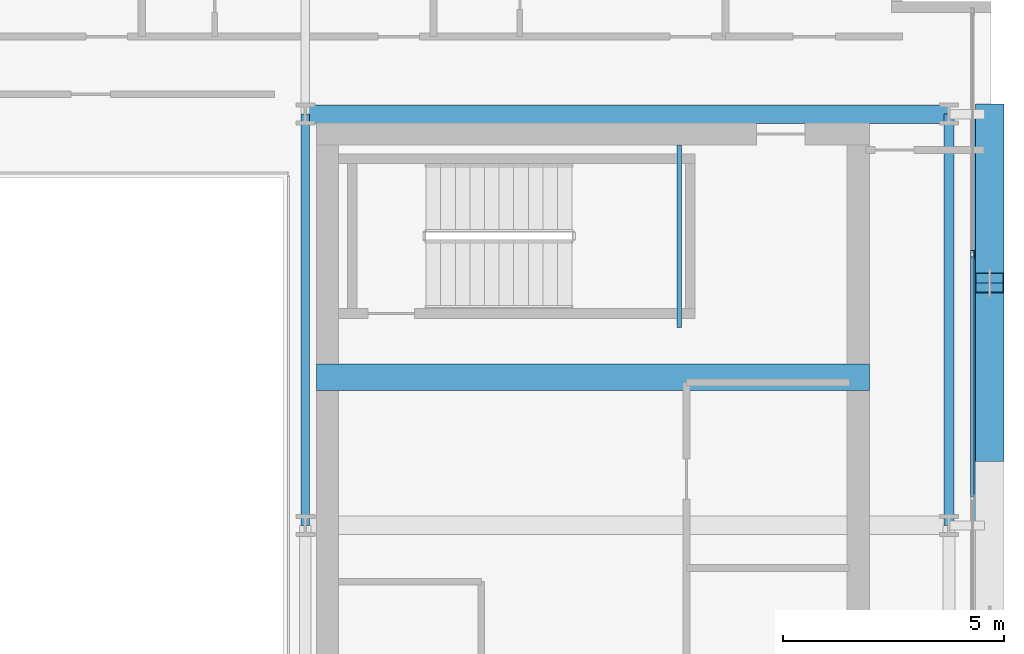
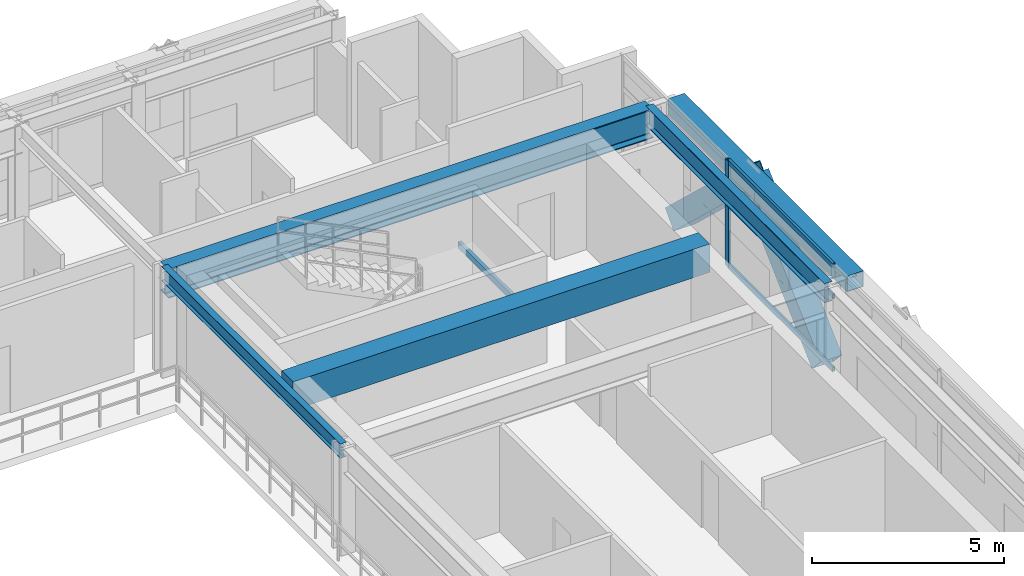
# One storey, part 14 of 31: 6 beams, 6 members, 1 element without a shape of its own.
"""IFC4 building model written with IfcOpenShell, lengths in metres."""

from ifc_helpers import new_model, si_unit, direction, frame, origin, origin_2d, place, context, subcontext, project, spatial, rectangle, hollow_rectangle, i_section, extrude, source, transform, mapped, material, layer, layer_set, material_profile, profile_set, type_object, element, aggregate, save


model = new_model("IFC4")

# Units and contexts
model_context = context("Model", 3, precision=1e-05, world=origin(), true_north=direction((0.0, 1.0)))
body_context = subcontext(model_context, "Body", "Model", "MODEL_VIEW")
ifc_project = project(units=[si_unit("LENGTHUNIT", "METRE"), si_unit("AREAUNIT", "SQUARE_METRE"), si_unit("VOLUMEUNIT", "CUBIC_METRE"), si_unit("PLANEANGLEUNIT", "RADIAN"), si_unit("MASSUNIT", "GRAM", prefix="KILO")], contexts=[model_context])

# Site, building, storey
site_placement = place(None, origin())
site = spatial("IfcSite", under=ifc_project, at=site_placement, CompositionType="ELEMENT")
building_placement = place(site_placement, origin())
building = spatial("IfcBuilding", under=site, at=building_placement, Name="Ocotamira Hotel", CompositionType="ELEMENT")
storey_placement = place(building_placement, frame((0.0, 0.0, 210.0)))
storey = spatial("IfcBuildingStorey", under=building, at=storey_placement, Name="L53", CompositionType="ELEMENT", Elevation=210.0)

# Beams
ifc_material_1 = material(Name="Concrete C50/60", Category="concrete")
ifc_material_profile_1 = material_profile(ifc_material_1, rectangle(XDim=0.60009765625, YDim=0.89990234375, at=origin_2d()), Name="RC600X900")
ifc_profile_set_1 = profile_set([ifc_material_profile_1], Name="Concrete C50/60")
beam_type_1 = type_object("IfcBeamType", Name="BM-LINK-RC600", PredefinedType="LINTEL", material=ifc_profile_set_1)
shared_shape_1 = source(origin(), body_context, "Body", "SweptSolid", [
    extrude(rectangle(XDim=0.60009765625, YDim=0.89990234375, at=origin_2d()), origin(), (0.0, 0.0, 1.0), 12.5),
])
beam_1_placement = place(storey_placement, frame((40.75, 31.5, 2.919921875), z_axis=(1.0, 0.0, 0.0), x_axis=(0.0, 1.0, 0.0)))
element("IfcBeam", 1, at=beam_1_placement, inside=storey, type_object=beam_type_1, Name="L53 East Core Coupling Beam", PredefinedType="LINTEL", context=body_context, shape_type="MappedRepresentation", body=[
    mapped(shared_shape_1, transform((0.0, 0.0, 0.0), scale=1.0)),
])
ifc_material_2 = material(Name="Steel ASTM A500 Grade C", Category="steel")
ifc_material_profile_2 = material_profile(ifc_material_2, hollow_rectangle(XDim=0.10009765625, YDim=0.199951171875, WallThickness=0.008056640625, at=origin_2d()), Name="HSS200X100X8")
ifc_profile_set_2 = profile_set([ifc_material_profile_2], Name="Steel ASTM A500 Grade C")
beam_type_2 = type_object("IfcBeamType", Name="BM-STLDG-HSS200", PredefinedType="BEAM", material=ifc_profile_set_2)
shared_shape_2 = source(origin(), body_context, "Body", "SweptSolid", [
    extrude(hollow_rectangle(XDim=0.10009765625, YDim=0.199951171875, WallThickness=0.008056640625, at=origin_2d()), origin(), (0.0, 0.0, 1.0), 4.1201171875),
])
beam_2_placement = place(storey_placement, frame((48.949951171875, 32.6298828125, 1.5), z_axis=(0.0, 1.0, 0.0), x_axis=(-1.0, 0.0, 0.0)))
element("IfcBeam", 2, at=beam_2_placement, inside=storey, type_object=beam_type_2, Name="L53 Stair ST-4 Landing Bearer 1", PredefinedType="BEAM", context=body_context, shape_type="MappedRepresentation", body=[
    mapped(shared_shape_2, transform((0.0, 0.0, 0.0), scale=1.0)),
])
ifc_material_3 = material(Name="Steel ASTM A992 Grade 50", Category="steel")
ifc_material_profile_3 = material_profile(ifc_material_3, i_section(OverallWidth=0.41796875, OverallDepth=0.927001953125, WebThickness=0.019287109375, FlangeThickness=0.031982421875, FilletRadius=0.02392578125, at=origin_2d()), Name="W36X231")
ifc_profile_set_3 = profile_set([ifc_material_profile_3], Name="Steel ASTM A992 Grade 50")
beam_type_3 = type_object("IfcBeamType", Name="BM-GIRD-W36X231", PredefinedType="BEAM", material=ifc_profile_set_3)
shared_shape_3 = source(origin(), body_context, "Body", "SweptSolid", [
    extrude(i_section(OverallWidth=0.41796875, OverallDepth=0.927001953125, WebThickness=0.019287109375, FlangeThickness=0.031982421875, FilletRadius=0.02392578125, at=origin_2d()), origin(), (0.0, 0.0, 1.0), 14.550048828125),
])
beam_3_placement = place(storey_placement, frame((40.5, 37.449951171875, 2.906494140625), z_axis=(1.0, 0.0, 0.0), x_axis=(0.0, 1.0, 0.0)))
element("IfcBeam", 3, at=beam_3_placement, inside=storey, type_object=beam_type_3, Name="L53 Girder Y37.45 X40.5-55.05", PredefinedType="BEAM", context=body_context, shape_type="MappedRepresentation", body=[
    mapped(shared_shape_3, transform((0.0, 0.0, 0.0), scale=1.0)),
])
ifc_material_profile_4 = material_profile(ifc_material_3, i_section(OverallWidth=0.22998046875, OverallDepth=0.616943359375, WebThickness=0.01318359375, FlangeThickness=0.022216796875, FilletRadius=0.012939453125, at=origin_2d()), Name="W24X94")
ifc_profile_set_4 = profile_set([ifc_material_profile_4], Name="Steel ASTM A992 Grade 50")
beam_type_4 = type_object("IfcBeamType", Name="BM-PRIM-W24X94", PredefinedType="BEAM", material=ifc_profile_set_4)
shared_shape_4 = source(origin(), body_context, "Body", "SweptSolid", [
    extrude(i_section(OverallWidth=0.22998046875, OverallDepth=0.616943359375, WebThickness=0.01318359375, FlangeThickness=0.022216796875, FilletRadius=0.012939453125, at=origin_2d()), origin(), (0.0, 0.0, 1.0), 9.300048828125),
])
beam_4_placement = place(storey_placement, frame((55.050048828125, 28.14990234375, 3.0615234375), z_axis=(0.0, 1.0, 0.0), x_axis=(-1.0, 0.0, 0.0)))
element("IfcBeam", 4, at=beam_4_placement, inside=storey, type_object=beam_type_4, Name="L53 Beam X55.05 Y28.15-37.45", PredefinedType="BEAM", context=body_context, shape_type="MappedRepresentation", body=[
    mapped(shared_shape_4, transform((0.0, 0.0, 0.0), scale=1.0)),
])
ifc_material_profile_5 = material_profile(ifc_material_3, i_section(OverallWidth=0.18994140625, OverallDepth=0.45703125, WebThickness=0.009033203125, FlangeThickness=0.014404296875, FilletRadius=0.010009765625, at=origin_2d()), Name="W18X50")
ifc_profile_set_5 = profile_set([ifc_material_profile_5], Name="Steel ASTM A992 Grade 50")
beam_type_5 = type_object("IfcBeamType", Name="BM-SEC-W18X50", PredefinedType="JOIST", material=ifc_profile_set_5)
shared_shape_5 = source(origin(), body_context, "Body", "SweptSolid", [
    extrude(i_section(OverallWidth=0.18994140625, OverallDepth=0.45703125, WebThickness=0.009033203125, FlangeThickness=0.014404296875, FilletRadius=0.010009765625, at=origin_2d()), origin(), (0.0, 0.0, 1.0), 9.300048828125),
])
beam_5_placement = place(storey_placement, frame((40.5, 28.14990234375, 3.1416015625), z_axis=(0.0, 1.0, 0.0), x_axis=(-1.0, 0.0, 0.0)))
element("IfcBeam", 5, at=beam_5_placement, inside=storey, type_object=beam_type_5, Name="L53 Beam X40.5 Y28.15-37.45", PredefinedType="JOIST", context=body_context, shape_type="MappedRepresentation", body=[
    mapped(shared_shape_5, transform((0.0, 0.0, 0.0), scale=1.0)),
])
ifc_material_profile_6 = material_profile(ifc_material_2, hollow_rectangle(XDim=0.5, YDim=0.5, WallThickness=0.02001953125, at=origin_2d()), Name="HSS500X500X20")
ifc_profile_set_6 = profile_set([ifc_material_profile_6], Name="Steel ASTM A500 Grade C")
beam_type_6 = type_object("IfcBeamType", Name="BM-SPAN-HSS500", PredefinedType="USERDEFINED", material=ifc_profile_set_6)
shared_shape_6 = source(origin(), body_context, "Body", "SweptSolid", [
    extrude(hollow_rectangle(XDim=0.5, YDim=0.5, WallThickness=0.02001953125, at=origin_2d()), origin(), (0.0, 0.0, 1.0), 9.300048828125),
])
beam_6_placement = place(storey_placement, frame((55.85009765625, 28.14990234375, 3.1201171875), z_axis=(0.0, 1.0, 0.0), x_axis=(-1.0, 0.0, 0.0)))
element("IfcBeam", 6, at=beam_6_placement, inside=storey, type_object=beam_type_6, Name="L53 Edge Spandrel E Y28.15-37.45", ObjectType="SPANDREL", PredefinedType="USERDEFINED", context=body_context, shape_type="MappedRepresentation", body=[
    mapped(shared_shape_6, transform((0.0, 0.0, 0.0), scale=1.0)),
])

# Members
ifc_material_4 = material(Name="Pale-metal coated steel ASTM A913 Grade 65", Category="steel")
ifc_material_profile_7 = material_profile(ifc_material_4, hollow_rectangle(XDim=0.64990234375, YDim=0.64990234375, WallThickness=0.02197265625, at=origin_2d()), Name="BOX650X650X22")
ifc_profile_set_7 = profile_set([ifc_material_profile_7], Name="Pale-metal coated steel ASTM A913 Grade 65")
member_type_1 = type_object("IfcMemberType", Name="MEM-EXO-BOX650", PredefinedType="BRACE", material=ifc_profile_set_7)
shared_shape_7 = source(origin(), body_context, "Body", "SweptSolid", [
    extrude(hollow_rectangle(XDim=0.64990234375, YDim=0.64990234375, WallThickness=0.02197265625, at=origin_2d()), origin(), (0.0, 0.0, 1.0), 5.24658203125),
])
for number, where, z_axis, x_axis, name in (
    (7, (55.969970703125, 29.816650390625, -0.47998046875), (0.0, 0.727442733726, 0.686168397078), (-1.0, 0.0, 0.0), "L53 Exoskeleton Diagrid E2.1"),
    (8, (55.969970703125, 37.449951171875, -0.47998046875), (0.0, -0.727442733726, 0.686168397078), (1.0, 0.0, 0.0), "L53 Exoskeleton Diagrid E2.2"),
):
    element("IfcMember", number, at=place(storey_placement, frame(where, z_axis=z_axis, x_axis=x_axis)), inside=storey, type_object=member_type_1, Name=name, PredefinedType="BRACE", context=body_context, shape_type="MappedRepresentation", body=[
        mapped(shared_shape_7, transform((0.0, 0.0, 0.0), scale=1.0)),
    ])

# Curtain wall, members
ifc_material_5 = material(Name="Anodised pale-metal aluminium and solar glass", Category="aluminium")
ifc_layer = layer(ifc_material_5, 0.199951171875)
ifc_layer_set = layer_set([ifc_layer], Name="Anodised pale-metal aluminium and solar glass")
curtain_wall_type = type_object("IfcCurtainWallType", Name="CW-SYS4-Z3", PredefinedType="NOTDEFINED", material=ifc_layer_set)
curtain_wall_placement = place(storey_placement, origin())
curtain_wall = element("IfcCurtainWall", 9, at=curtain_wall_placement, inside=storey, type_object=curtain_wall_type, Name="L53 Curtain Wall CW-4 CW-L53-E", PredefinedType="NOTDEFINED")
ifc_material_6 = material(Name="Anodised pale-metal aluminium 6063-T6", Category="aluminium")
ifc_material_profile_8 = material_profile(ifc_material_6, hollow_rectangle(XDim=0.080078125, YDim=0.179931640625, WallThickness=0.006103515625, at=origin_2d()), Name="HSS180X80X6")
ifc_profile_set_8 = profile_set([ifc_material_profile_8], Name="Anodised pale-metal aluminium 6063-T6")
member_type_2 = type_object("IfcMemberType", Name="CWM-180X75", PredefinedType="MULLION", material=ifc_profile_set_8)
shared_shape_8 = source(origin(), body_context, "Body", "SweptSolid", [
    extrude(hollow_rectangle(XDim=0.080078125, YDim=0.179931640625, WallThickness=0.006103515625, at=origin_2d()), origin(), (0.0, 0.0, 1.0), 3.3701171875),
])
member_1_placement = place(storey_placement, frame((55.580078125, 34.280029296875, 0.0), z_axis=(0.0, 0.0, 1.0), x_axis=(-1.0, 0.0, 0.0)))
member_1 = element("IfcMember", 10, at=member_1_placement, type_object=member_type_2, Name="CW-4 mullion 5", PredefinedType="MULLION", context=body_context, shape_type="MappedRepresentation", body=[
    mapped(shared_shape_8, transform((0.0, 0.0, 0.0), scale=1.0)),
])
ifc_material_profile_9 = material_profile(ifc_material_6, hollow_rectangle(XDim=0.074951171875, YDim=0.14990234375, WallThickness=0.006103515625, at=origin_2d()), Name="HSS150X75X6")
ifc_profile_set_9 = profile_set([ifc_material_profile_9], Name="Anodised pale-metal aluminium 6063-T6")
member_type_3 = type_object("IfcMemberType", Name="CWT-150X75", PredefinedType="USERDEFINED", material=ifc_profile_set_9)
shared_shape_9 = source(origin(), body_context, "Body", "SweptSolid", [
    extrude(hollow_rectangle(XDim=0.074951171875, YDim=0.14990234375, WallThickness=0.006103515625, at=origin_2d()), origin(), (0.0, 0.0, 1.0), 5.43994140625),
])
member_2_placement = place(storey_placement, frame((55.580078125, 28.800048828125, 0.03759765625), z_axis=(0.0, 1.0, 0.0), x_axis=(-1.0, 0.0, 0.0)))
member_2 = element("IfcMember", 11, at=member_2_placement, type_object=member_type_3, Name="CW-4 transom 4.1", ObjectType="TRANSOM", PredefinedType="USERDEFINED", context=body_context, shape_type="MappedRepresentation", body=[
    mapped(shared_shape_9, transform((0.0, 0.0, 0.0), scale=1.0)),
])
member_3_placement = place(storey_placement, frame((55.580078125, 28.800048828125, 2.35009765625), z_axis=(0.0, 1.0, 0.0), x_axis=(-1.0, 0.0, 0.0)))
member_3 = element("IfcMember", 12, at=member_3_placement, type_object=member_type_3, Name="CW-4 transom 4.2", ObjectType="TRANSOM", PredefinedType="USERDEFINED", context=body_context, shape_type="MappedRepresentation", body=[
    mapped(shared_shape_9, transform((0.0, 0.0, 0.0), scale=1.0)),
])
member_4_placement = place(storey_placement, frame((55.580078125, 28.800048828125, 3.33251953125), z_axis=(0.0, 1.0, 0.0), x_axis=(-1.0, 0.0, 0.0)))
member_4 = element("IfcMember", 13, at=member_4_placement, type_object=member_type_3, Name="CW-4 transom 4.3", ObjectType="TRANSOM", PredefinedType="USERDEFINED", context=body_context, shape_type="MappedRepresentation", body=[
    mapped(shared_shape_9, transform((0.0, 0.0, 0.0), scale=1.0)),
])
aggregate(curtain_wall, [member_1, member_2, member_3, member_4])

save(model, "model.ifc")
